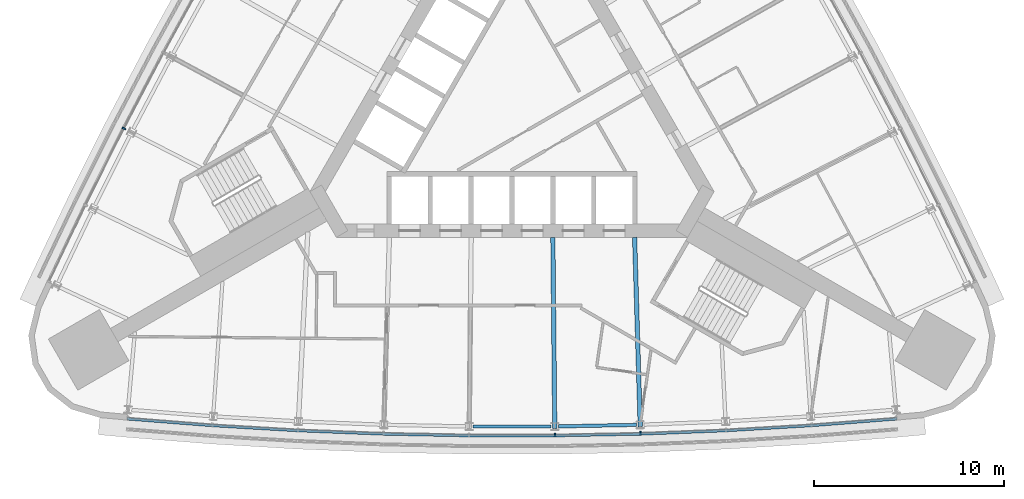
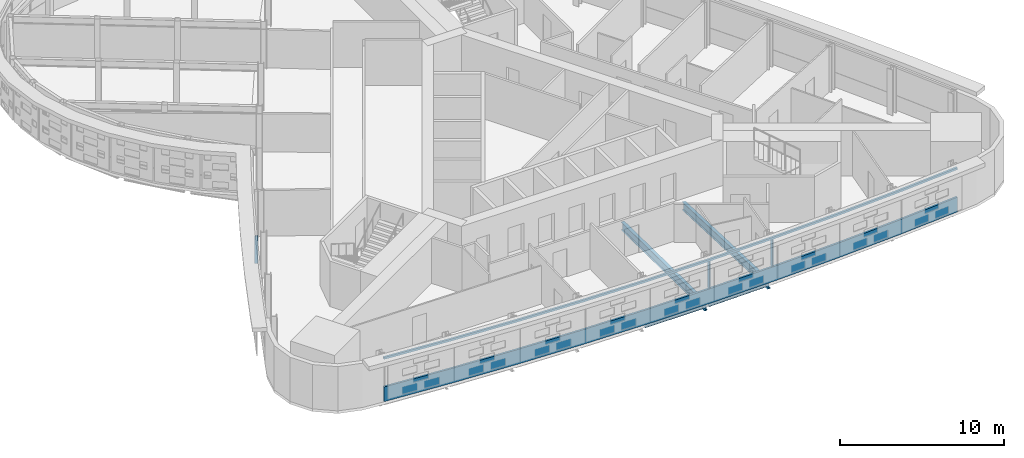
# One storey, part 5 of 17: 5 members, 4 beams, 2 elements without a shape of their own.
"""IFC4 building model written with IfcOpenShell, lengths in metres."""

from ifc_helpers import new_model, si_unit, direction, frame, origin, origin_2d, place, context, subcontext, project, spatial, polyline, rectangle, i_section, outline, extrude, material, material_profile, profile_set, type_object, element, aggregate, save


model = new_model("IFC4")

# Units and contexts
model_context = context("Model", 3, precision=1e-05, world=origin(), true_north=direction((0.0, 1.0)))
body_context = subcontext(model_context, "Body", "Model", "MODEL_VIEW")
ifc_project = project(units=[si_unit("LENGTHUNIT", "METRE"), si_unit("AREAUNIT", "SQUARE_METRE"), si_unit("VOLUMEUNIT", "CUBIC_METRE"), si_unit("PLANEANGLEUNIT", "RADIAN"), si_unit("MASSUNIT", "GRAM", prefix="KILO")], contexts=[model_context])

# Site, building, storey
site_placement = place(None, origin())
site = spatial("IfcSite", under=ifc_project, at=site_placement, CompositionType="ELEMENT")
building_placement = place(site_placement, origin())
building = spatial("IfcBuilding", under=site, at=building_placement, Name="Noor Cloister Tower", CompositionType="ELEMENT")
storey_placement = place(building_placement, frame((0.0, 0.0, 102.300048828125)))
storey = spatial("IfcBuildingStorey", under=building, at=storey_placement, Name="L26", CompositionType="ELEMENT", Elevation=102.300048828125)

# Curtain wall, member
ifc_material_1 = material(Name="Aluminium 6063-T6 anodised", Category="aluminium")
curtain_wall_type = type_object("IfcCurtainWallType", Name="Ribbon curtain wall, lower tower CW1", PredefinedType="NOTDEFINED", material=ifc_material_1)
curtain_wall_1_placement = place(storey_placement, origin())
curtain_wall_1 = element("IfcCurtainWall", 1, at=curtain_wall_1_placement, inside=storey, type_object=curtain_wall_type, Name="CW1 L26 S run 3", PredefinedType="NOTDEFINED")
ifc_material_2 = material(Name="Aluminium 6063-T6 anodised", Category="aluminium")
member_type_1 = type_object("IfcMemberType", Name="Head transom CW1 150", PredefinedType="USERDEFINED", material=ifc_material_2)
member_1_placement = place(storey_placement, frame((0.0, 0.0, 3.14990234375)))
member_1 = element("IfcMember", 2, at=member_1_placement, type_object=member_type_1, Name="CW1 head transom", ObjectType="TRANSOM", PredefinedType="USERDEFINED", context=body_context, shape_type="SweptSolid", body=[
    extrude(outline(polyline([(-20.2236328125, -16.53125), (-15.737548828125, -16.88525390625), (-11.245361328125, -17.150634765625), (-6.7490234375, -17.327880859375), (-2.25, -17.41650390625), (2.25, -17.41650390625), (6.7490234375, -17.327880859375), (11.245361328125, -17.150634765625), (15.737548828125, -16.88525390625), (20.2236328125, -16.53125), (20.21240234375, -16.3916015625), (15.72802734375, -16.74560546875), (11.238525390625, -17.010986328125), (6.744873046875, -17.18798828125), (2.24853515625, -17.2763671875), (-2.24853515625, -17.2763671875), (-6.744873046875, -17.18798828125), (-11.238525390625, -17.010986328125), (-15.72802734375, -16.74560546875), (-20.21240234375, -16.3916015625), (-20.2236328125, -16.53125)])), origin(), (0.0, 0.0, 1.0), 0.150146484375),
])

curtain_wall_2_placement = place(storey_placement, origin())
curtain_wall_2 = element("IfcCurtainWall", 3, at=curtain_wall_2_placement, inside=storey, type_object=curtain_wall_type, Name="CW1 L26 NW run 2", PredefinedType="NOTDEFINED")
ifc_material_3 = material(Name="Aluminium 6063-T6 anodised", Category="aluminium")
ifc_material_profile_1 = material_profile(ifc_material_3, rectangle(XDim=0.199951171875, YDim=0.080078125, at=origin_2d()), Name="200 x 80 mullion")
ifc_profile_set_1 = profile_set([ifc_material_profile_1], Name="Aluminium 6063-T6 anodised")
member_type_2 = type_object("IfcMemberType", Name="Mullion CW1 80 x 200", PredefinedType="MULLION", material=ifc_profile_set_1)
member_2_placement = place(storey_placement, frame((-20.38671875, -1.209228515625, 1.099853515625), z_axis=(0.0, 0.0, 1.0), x_axis=(0.889571260287, -0.456796423881, 0.0)))
member_2 = element("IfcMember", 4, at=member_2_placement, type_object=member_type_2, Name="CW1 mullion 3", PredefinedType="MULLION", context=body_context, shape_type="SweptSolid", body=[
    extrude(rectangle(XDim=0.199951171875, YDim=0.080078125, at=origin_2d()), origin(), (0.0, 0.0, 1.0), 2.050048828125),
])
aggregate(curtain_wall_2, [member_2])

# Member
member_3_placement = place(storey_placement, frame((2.2490234375, -17.31640625, 1.099853515625), z_axis=(0.0, 0.0, 1.0), x_axis=(-0.009841473527, 0.999951571527, 0.0)))
member_3 = element("IfcMember", 5, at=member_3_placement, type_object=member_type_2, Name="CW1 mullion 6", PredefinedType="MULLION", context=body_context, shape_type="SweptSolid", body=[
    extrude(rectangle(XDim=0.199951171875, YDim=0.080078125, at=origin_2d()), origin(), (0.0, 0.0, 1.0), 2.050048828125),
])

member_4_placement = place(storey_placement, frame((6.74609375, -17.227783203125, 1.099853515625), z_axis=(0.0, 0.0, 1.0), x_axis=(-0.029520625259, 0.999564171369, 0.0)))
member_4 = element("IfcMember", 6, at=member_4_placement, type_object=member_type_2, Name="CW1 mullion 7", PredefinedType="MULLION", context=body_context, shape_type="SweptSolid", body=[
    extrude(rectangle(XDim=0.199951171875, YDim=0.080078125, at=origin_2d()), origin(), (0.0, 0.0, 1.0), 2.050048828125),
])

# Beams
ifc_material_4 = material(Name="Steel ASTM A992 Gr 50", Category="steel")
ifc_material_profile_2 = material_profile(ifc_material_4, i_section(OverallWidth=0.22802734375, OverallDepth=0.60205078125, WebThickness=0.010498046875, FlangeThickness=0.014892578125, FilletRadius=0.0126953125, at=origin_2d()), Name="W610x101")
ifc_profile_set_2 = profile_set([ifc_material_profile_2], Name="Steel ASTM A992 Gr 50")
beam_type_1 = type_object("IfcBeamType", Name="Radial beam W610x101", PredefinedType="BEAM", material=ifc_profile_set_2)
beam_1_placement = place(storey_placement, frame((2.24560546875, -16.967041015625, -0.5009765625), z_axis=(-0.009848983597, 0.999951497585, 0.0), x_axis=(-0.999951497585, -0.009848983597, 0.0)))
element("IfcBeam", 7, at=beam_1_placement, inside=storey, type_object=beam_type_1, Name="Radial beam S 06 L26", PredefinedType="BEAM", context=body_context, shape_type="SweptSolid", body=[
    extrude(i_section(OverallWidth=0.22802734375, OverallDepth=0.60205078125, WebThickness=0.010498046875, FlangeThickness=0.014892578125, FilletRadius=0.0126953125, at=origin_2d()), origin(), (0.0, 0.0, 1.0), 10.039306640625),
])
beam_2_placement = place(storey_placement, frame((6.73583984375, -16.878662109375, -0.5009765625), z_axis=(-0.029528056482, 0.999563951871, 0.0), x_axis=(-0.999563951871, -0.029528056482, 0.0)))
element("IfcBeam", 8, at=beam_2_placement, inside=storey, type_object=beam_type_1, Name="Radial beam S 07 L26", PredefinedType="BEAM", context=body_context, shape_type="SweptSolid", body=[
    extrude(i_section(OverallWidth=0.22802734375, OverallDepth=0.60205078125, WebThickness=0.010498046875, FlangeThickness=0.014892578125, FilletRadius=0.0126953125, at=origin_2d()), origin(), (0.0, 0.0, 1.0), 9.954833984375),
])

# Member
ifc_material_5 = material(Name="Aluminium 6063-T6 anodised", Category="aluminium")
member_type_3 = type_object("IfcMemberType", Name="Sill transom CW1 1100", PredefinedType="USERDEFINED", material=ifc_material_5)
member_5_placement = place(storey_placement, origin())
member_5 = element("IfcMember", 9, at=member_5_placement, type_object=member_type_3, Name="CW1 sill transom", ObjectType="TRANSOM", PredefinedType="USERDEFINED", context=body_context, shape_type="SweptSolid", body=[
    extrude(outline(polyline([(-20.2236328125, -16.53125), (-15.737548828125, -16.88525390625), (-11.245361328125, -17.150634765625), (-6.7490234375, -17.327880859375), (-2.25, -17.41650390625), (2.25, -17.41650390625), (6.7490234375, -17.327880859375), (11.245361328125, -17.150634765625), (15.737548828125, -16.88525390625), (20.2236328125, -16.53125), (20.21240234375, -16.3916015625), (15.72802734375, -16.74560546875), (11.238525390625, -17.010986328125), (6.744873046875, -17.18798828125), (2.24853515625, -17.2763671875), (-2.24853515625, -17.2763671875), (-6.744873046875, -17.18798828125), (-11.238525390625, -17.010986328125), (-15.72802734375, -16.74560546875), (-20.21240234375, -16.3916015625), (-20.2236328125, -16.53125)])), origin(), (0.0, 0.0, 1.0), 1.099853515625),
])

aggregate(curtain_wall_1, [member_3, member_4, member_5, member_1])

# Beams
ifc_material_6 = material(Name="Steel ASTM A992 Gr 50", Category="steel")
ifc_material_profile_3 = material_profile(ifc_material_6, i_section(OverallWidth=0.177978515625, OverallDepth=0.406005859375, WebThickness=0.0078125, FlangeThickness=0.0126953125, FilletRadius=0.01025390625, at=origin_2d()), Name="W410x60")
ifc_profile_set_3 = profile_set([ifc_material_profile_3], Name="Steel ASTM A992 Gr 50")
beam_type_2 = type_object("IfcBeamType", Name="Spandrel beam W410x60", PredefinedType="SPANDREL", material=ifc_profile_set_3)
for number, where, z_axis, x_axis, name in (
    (10, (-2.0439453125, -16.866455078125, -0.403076171875), (1.0, 0.0, 0.0), (0.0, 1.0, 0.0), "Spandrel beam S 05 L26"),
    (11, (2.445068359375, -16.862548828125, -0.403076171875), (0.999805773471, 0.019708255495, 0.0), (-0.019708255495, 0.999805773471, 0.0), "Spandrel beam S 06 L26"),
):
    element("IfcBeam", number, at=place(storey_placement, frame(where, z_axis=z_axis, x_axis=x_axis)), inside=storey, type_object=beam_type_2, Name=name, PredefinedType="SPANDREL", context=body_context, shape_type="SweptSolid", body=[
        extrude(i_section(OverallWidth=0.177978515625, OverallDepth=0.406005859375, WebThickness=0.0078125, FlangeThickness=0.0126953125, FilletRadius=0.01025390625, at=origin_2d()), origin(), (0.0, 0.0, 1.0), 4.087890625),
    ])

save(model, "model.ifc")
